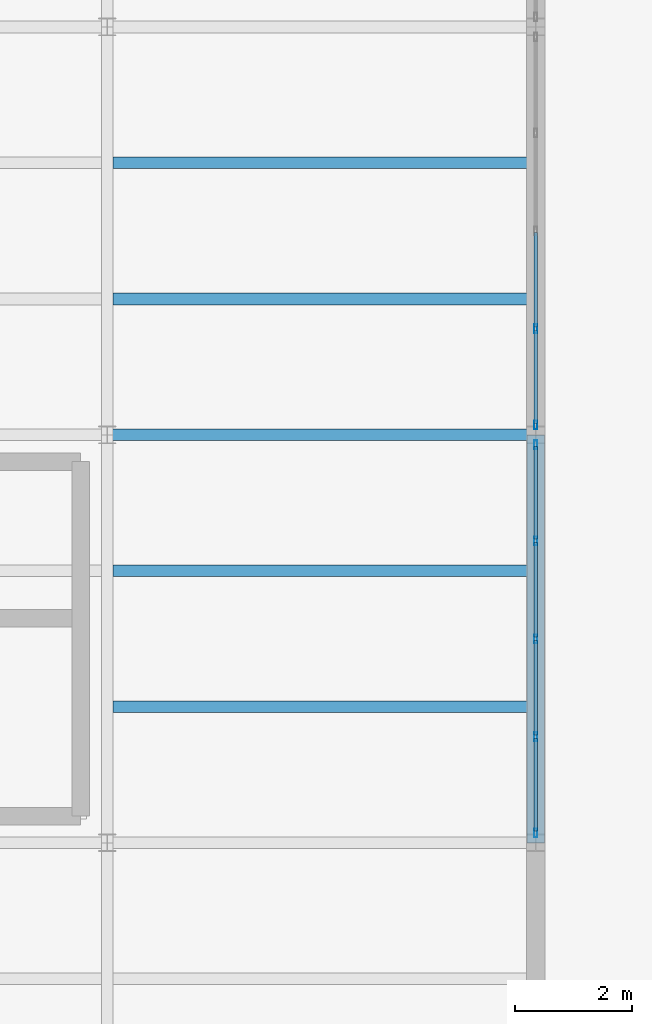
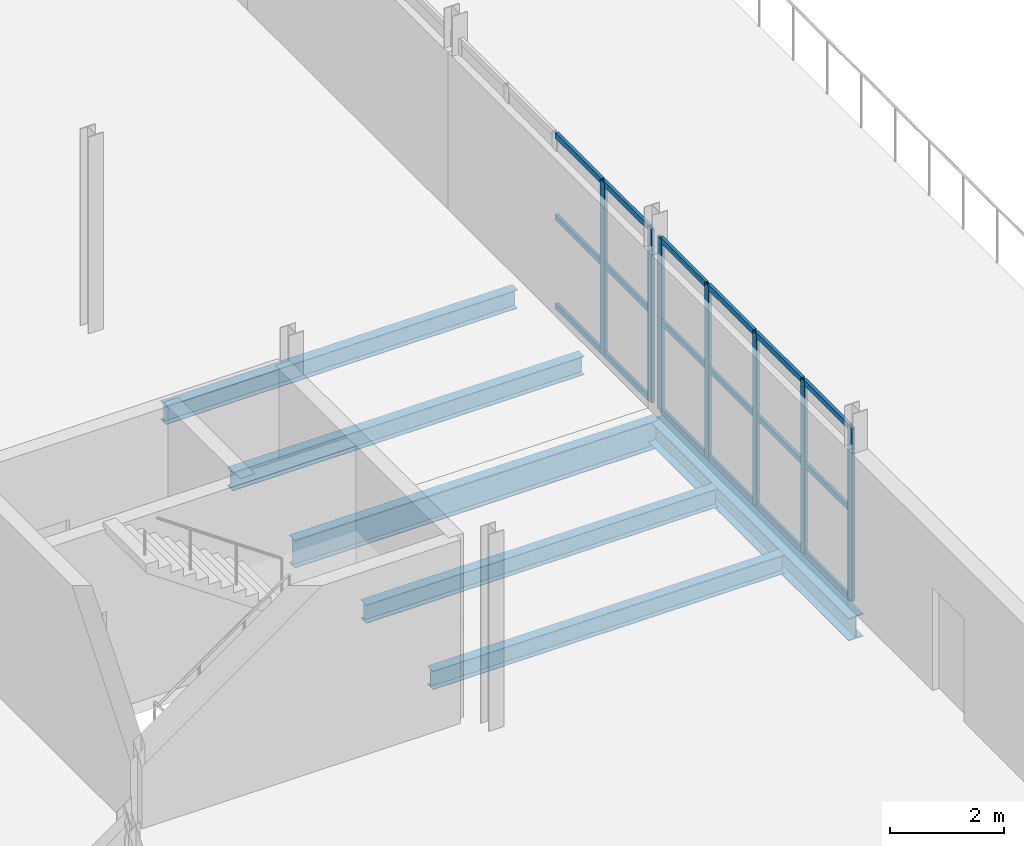
# One storey, part 20 of 39: 25 members, 6 beams, 2 elements without a shape of their own.
"""IFC4 building model written with IfcOpenShell, lengths in metres."""

from ifc_helpers import new_model, si_unit, direction, frame, origin, origin_2d, place, context, subcontext, project, spatial, hollow_rectangle, i_section, extrude, material, material_profile, profile_set, type_object, element, aggregate, save


model = new_model("IFC4")

# Units and contexts
model_context = context("Model", 3, precision=1e-05, world=origin(), true_north=direction((0.0, 1.0)))
body_context = subcontext(model_context, "Body", "Model", "MODEL_VIEW")
ifc_project = project(units=[si_unit("LENGTHUNIT", "METRE"), si_unit("AREAUNIT", "SQUARE_METRE"), si_unit("VOLUMEUNIT", "CUBIC_METRE"), si_unit("PLANEANGLEUNIT", "RADIAN"), si_unit("MASSUNIT", "GRAM", prefix="KILO")], contexts=[model_context])

# Site, building, storey
site_placement = place(None, origin())
site = spatial("IfcSite", under=ifc_project, at=site_placement, CompositionType="ELEMENT")
building_placement = place(site_placement, origin())
building = spatial("IfcBuilding", under=site, at=building_placement, Name="Kazenagashi Tramway Depot", CompositionType="ELEMENT")
storey_placement = place(building_placement, frame((0.0, 0.0, 11.1)))
storey = spatial("IfcBuildingStorey", under=building, at=storey_placement, Name="L03", CompositionType="ELEMENT", Elevation=11.1)

# Beams
ifc_material_1 = material(Name="Steel SN490B", Category="steel")
ifc_material_profile_1 = material_profile(ifc_material_1, i_section(OverallWidth=0.199, OverallDepth=0.596, WebThickness=0.01, FlangeThickness=0.015, at=origin_2d()), Name="H-596x199x10x15")
ifc_profile_set_1 = profile_set([ifc_material_profile_1], Name="Steel SN490B")
beam_type_1 = type_object("IfcBeamType", Name="G-09", PredefinedType="BEAM", material=ifc_profile_set_1)
beam_1_placement = place(storey_placement, frame((29.4, 42.0, -0.548), z_axis=(1.0, 0.0, 0.0), x_axis=(0.0, 1.0, 0.0)))
element("IfcBeam", 1, at=beam_1_placement, inside=storey, type_object=beam_type_1, Name="Beam G-09 BM-0252", PredefinedType="BEAM", context=body_context, shape_type="SweptSolid", body=[
    extrude(i_section(OverallWidth=0.199, OverallDepth=0.596, WebThickness=0.01, FlangeThickness=0.015, at=origin_2d()), origin(), (0.0, 0.0, 1.0), 7.35),
])
ifc_material_profile_2 = material_profile(ifc_material_1, i_section(OverallWidth=0.199, OverallDepth=0.396, WebThickness=0.007, FlangeThickness=0.011, at=origin_2d()), Name="H-396x199x7x11")
ifc_profile_set_2 = profile_set([ifc_material_profile_2], Name="Steel SN490B")
beam_type_2 = type_object("IfcBeamType", Name="J-05", PredefinedType="JOIST", material=ifc_profile_set_2)
for number, where, z_axis, x_axis, name in (
    (2, (29.499, 37.333, -0.448), (1.0, 0.0, 0.0), (0.0, 1.0, 0.0), "Beam J-05 BM-0388"),
    (3, (29.499, 39.667, -0.448), (1.0, 0.0, 0.0), (0.0, 1.0, 0.0), "Beam J-05 BM-0389"),
    (4, (29.499, 44.333, -0.448), (1.0, 0.0, 0.0), (0.0, 1.0, 0.0), "Beam J-05 BM-0391"),
    (5, (29.499, 46.667, -0.448), (1.0, 0.0, 0.0), (0.0, 1.0, 0.0), "Beam J-05 BM-0392"),
):
    element("IfcBeam", number, at=place(storey_placement, frame(where, z_axis=z_axis, x_axis=x_axis)), inside=storey, type_object=beam_type_2, Name=name, PredefinedType="JOIST", context=body_context, shape_type="SweptSolid", body=[
        extrude(i_section(OverallWidth=0.199, OverallDepth=0.396, WebThickness=0.007, FlangeThickness=0.011, at=origin_2d()), origin(), (0.0, 0.0, 1.0), 7.101),
    ])

# Curtain wall, members
ifc_material_2 = material(Name="Anodised Aluminium and Low-E Glazing", Category="aluminium")
curtain_wall_type = type_object("IfcCurtainWallType", Name="CW-26", PredefinedType="USERDEFINED", material=ifc_material_2)
curtain_wall_1_placement = place(storey_placement, origin())
curtain_wall_1 = element("IfcCurtainWall", 6, at=curtain_wall_1_placement, inside=storey, type_object=curtain_wall_type, Name="Industrial Glazed Screen CW-26 CW-0147", ObjectType="GLAZED SCREEN", PredefinedType="USERDEFINED")
ifc_material_3 = material(Name="Anodised Aluminium", Category="aluminium")
ifc_material_profile_3 = material_profile(ifc_material_3, hollow_rectangle(XDim=0.06, YDim=0.15, WallThickness=0.004, at=origin_2d()), Name="RHS-150x60x4")
ifc_profile_set_3 = profile_set([ifc_material_profile_3], Name="Anodised Aluminium")
member_type_1 = type_object("IfcMemberType", Name="ML-01", PredefinedType="MULLION", material=ifc_profile_set_3)
member_1_placement = place(storey_placement, frame((36.75, 35.17, 0.0), z_axis=(0.0, 0.0, 1.0), x_axis=(-1.0, 0.0, 0.0)))
member_1 = element("IfcMember", 7, at=member_1_placement, type_object=member_type_1, Name="CW-26 mullion 1", PredefinedType="MULLION", context=body_context, shape_type="SweptSolid", body=[
    extrude(hollow_rectangle(XDim=0.06, YDim=0.15, WallThickness=0.004, at=origin_2d()), origin(), (0.0, 0.0, 1.0), 3.7),
])
member_2_placement = place(storey_placement, frame((36.75, 36.82, 0.0), z_axis=(0.0, 0.0, 1.0), x_axis=(-1.0, 0.0, 0.0)))
member_2 = element("IfcMember", 8, at=member_2_placement, type_object=member_type_1, Name="CW-26 mullion 2", PredefinedType="MULLION", context=body_context, shape_type="SweptSolid", body=[
    extrude(hollow_rectangle(XDim=0.06, YDim=0.15, WallThickness=0.004, at=origin_2d()), origin(), (0.0, 0.0, 1.0), 3.7),
])
member_3_placement = place(storey_placement, frame((36.75, 38.5, 0.0), z_axis=(0.0, 0.0, 1.0), x_axis=(-1.0, 0.0, 0.0)))
member_3 = element("IfcMember", 9, at=member_3_placement, type_object=member_type_1, Name="CW-26 mullion 3", PredefinedType="MULLION", context=body_context, shape_type="SweptSolid", body=[
    extrude(hollow_rectangle(XDim=0.06, YDim=0.15, WallThickness=0.004, at=origin_2d()), origin(), (0.0, 0.0, 1.0), 3.7),
])
member_4_placement = place(storey_placement, frame((36.75, 40.18, 0.0), z_axis=(0.0, 0.0, 1.0), x_axis=(-1.0, 0.0, 0.0)))
member_4 = element("IfcMember", 10, at=member_4_placement, type_object=member_type_1, Name="CW-26 mullion 4", PredefinedType="MULLION", context=body_context, shape_type="SweptSolid", body=[
    extrude(hollow_rectangle(XDim=0.06, YDim=0.15, WallThickness=0.004, at=origin_2d()), origin(), (0.0, 0.0, 1.0), 3.7),
])
member_5_placement = place(storey_placement, frame((36.75, 41.83, 0.0), z_axis=(0.0, 0.0, 1.0), x_axis=(-1.0, 0.0, 0.0)))
member_5 = element("IfcMember", 11, at=member_5_placement, type_object=member_type_1, Name="CW-26 mullion 5", PredefinedType="MULLION", context=body_context, shape_type="SweptSolid", body=[
    extrude(hollow_rectangle(XDim=0.06, YDim=0.15, WallThickness=0.004, at=origin_2d()), origin(), (0.0, 0.0, 1.0), 3.7),
])

curtain_wall_2_placement = place(storey_placement, origin())
curtain_wall_2 = element("IfcCurtainWall", 12, at=curtain_wall_2_placement, inside=storey, type_object=curtain_wall_type, Name="Industrial Glazed Screen CW-26 CW-0148", ObjectType="GLAZED SCREEN", PredefinedType="USERDEFINED")
member_6_placement = place(storey_placement, frame((36.75, 42.17, 0.0), z_axis=(0.0, 0.0, 1.0), x_axis=(-1.0, 0.0, 0.0)))
member_6 = element("IfcMember", 13, at=member_6_placement, type_object=member_type_1, Name="CW-26 mullion 1", PredefinedType="MULLION", context=body_context, shape_type="SweptSolid", body=[
    extrude(hollow_rectangle(XDim=0.06, YDim=0.15, WallThickness=0.004, at=origin_2d()), origin(), (0.0, 0.0, 1.0), 3.7),
])
member_7_placement = place(storey_placement, frame((36.75, 43.82, 0.0), z_axis=(0.0, 0.0, 1.0), x_axis=(-1.0, 0.0, 0.0)))
member_7 = element("IfcMember", 14, at=member_7_placement, type_object=member_type_1, Name="CW-26 mullion 2", PredefinedType="MULLION", context=body_context, shape_type="SweptSolid", body=[
    extrude(hollow_rectangle(XDim=0.06, YDim=0.15, WallThickness=0.004, at=origin_2d()), origin(), (0.0, 0.0, 1.0), 3.7),
])

# Beam
ifc_material_profile_4 = material_profile(ifc_material_1, i_section(OverallWidth=0.3, OverallDepth=0.488, WebThickness=0.011, FlangeThickness=0.018, at=origin_2d()), Name="H-488x300x11x18")
ifc_profile_set_4 = profile_set([ifc_material_profile_4], Name="Steel SN490B")
beam_type_3 = type_object("IfcBeamType", Name="SP-02", PredefinedType="SPANDREL", material=ifc_profile_set_4)
beam_2_placement = place(storey_placement, frame((36.75, 35.0, -0.494), z_axis=(0.0, 1.0, 0.0), x_axis=(-1.0, 0.0, 0.0)))
element("IfcBeam", 15, at=beam_2_placement, inside=storey, type_object=beam_type_3, Name="Beam SP-02 BM-0404", PredefinedType="SPANDREL", context=body_context, shape_type="SweptSolid", body=[
    extrude(i_section(OverallWidth=0.3, OverallDepth=0.488, WebThickness=0.011, FlangeThickness=0.018, at=origin_2d()), origin(), (0.0, 0.0, 1.0), 7.0),
])

# Member
ifc_material_profile_5 = material_profile(ifc_material_3, hollow_rectangle(XDim=0.06, YDim=0.12, WallThickness=0.004, at=origin_2d()), Name="RHS-120x60x4")
ifc_profile_set_5 = profile_set([ifc_material_profile_5], Name="Anodised Aluminium")
member_type_2 = type_object("IfcMemberType", Name="TR-01", PredefinedType="USERDEFINED", material=ifc_profile_set_5)
member_8_placement = place(storey_placement, frame((36.75, 35.2, 0.03), z_axis=(0.0, 1.0, 0.0), x_axis=(-1.0, 0.0, 0.0)))
member_8 = element("IfcMember", 16, at=member_8_placement, type_object=member_type_2, Name="CW-26 transom 1.1", ObjectType="TRANSOM", PredefinedType="USERDEFINED", context=body_context, shape_type="SweptSolid", body=[
    extrude(hollow_rectangle(XDim=0.06, YDim=0.12, WallThickness=0.004, at=origin_2d()), origin(), (0.0, 0.0, 1.0), 1.59),
])

member_9_placement = place(storey_placement, frame((36.75, 35.2, 1.924), z_axis=(0.0, 1.0, 0.0), x_axis=(-1.0, 0.0, 0.0)))
member_9 = element("IfcMember", 17, at=member_9_placement, type_object=member_type_2, Name="CW-26 transom 1.2", ObjectType="TRANSOM", PredefinedType="USERDEFINED", context=body_context, shape_type="SweptSolid", body=[
    extrude(hollow_rectangle(XDim=0.06, YDim=0.12, WallThickness=0.004, at=origin_2d()), origin(), (0.0, 0.0, 1.0), 1.59),
])

member_10_placement = place(storey_placement, frame((36.75, 35.2, 3.67), z_axis=(0.0, 1.0, 0.0), x_axis=(-1.0, 0.0, 0.0)))
member_10 = element("IfcMember", 18, at=member_10_placement, type_object=member_type_2, Name="CW-26 transom 1.3", ObjectType="TRANSOM", PredefinedType="USERDEFINED", context=body_context, shape_type="SweptSolid", body=[
    extrude(hollow_rectangle(XDim=0.06, YDim=0.12, WallThickness=0.004, at=origin_2d()), origin(), (0.0, 0.0, 1.0), 1.59),
])

member_11_placement = place(storey_placement, frame((36.75, 36.85, 0.03), z_axis=(0.0, 1.0, 0.0), x_axis=(-1.0, 0.0, 0.0)))
member_11 = element("IfcMember", 19, at=member_11_placement, type_object=member_type_2, Name="CW-26 transom 2.1", ObjectType="TRANSOM", PredefinedType="USERDEFINED", context=body_context, shape_type="SweptSolid", body=[
    extrude(hollow_rectangle(XDim=0.06, YDim=0.12, WallThickness=0.004, at=origin_2d()), origin(), (0.0, 0.0, 1.0), 1.62),
])

member_12_placement = place(storey_placement, frame((36.75, 36.85, 1.924), z_axis=(0.0, 1.0, 0.0), x_axis=(-1.0, 0.0, 0.0)))
member_12 = element("IfcMember", 20, at=member_12_placement, type_object=member_type_2, Name="CW-26 transom 2.2", ObjectType="TRANSOM", PredefinedType="USERDEFINED", context=body_context, shape_type="SweptSolid", body=[
    extrude(hollow_rectangle(XDim=0.06, YDim=0.12, WallThickness=0.004, at=origin_2d()), origin(), (0.0, 0.0, 1.0), 1.62),
])

member_13_placement = place(storey_placement, frame((36.75, 36.85, 3.67), z_axis=(0.0, 1.0, 0.0), x_axis=(-1.0, 0.0, 0.0)))
member_13 = element("IfcMember", 21, at=member_13_placement, type_object=member_type_2, Name="CW-26 transom 2.3", ObjectType="TRANSOM", PredefinedType="USERDEFINED", context=body_context, shape_type="SweptSolid", body=[
    extrude(hollow_rectangle(XDim=0.06, YDim=0.12, WallThickness=0.004, at=origin_2d()), origin(), (0.0, 0.0, 1.0), 1.62),
])

member_14_placement = place(storey_placement, frame((36.75, 38.53, 0.03), z_axis=(0.0, 1.0, 0.0), x_axis=(-1.0, 0.0, 0.0)))
member_14 = element("IfcMember", 22, at=member_14_placement, type_object=member_type_2, Name="CW-26 transom 3.1", ObjectType="TRANSOM", PredefinedType="USERDEFINED", context=body_context, shape_type="SweptSolid", body=[
    extrude(hollow_rectangle(XDim=0.06, YDim=0.12, WallThickness=0.004, at=origin_2d()), origin(), (0.0, 0.0, 1.0), 1.62),
])

member_15_placement = place(storey_placement, frame((36.75, 38.53, 1.924), z_axis=(0.0, 1.0, 0.0), x_axis=(-1.0, 0.0, 0.0)))
member_15 = element("IfcMember", 23, at=member_15_placement, type_object=member_type_2, Name="CW-26 transom 3.2", ObjectType="TRANSOM", PredefinedType="USERDEFINED", context=body_context, shape_type="SweptSolid", body=[
    extrude(hollow_rectangle(XDim=0.06, YDim=0.12, WallThickness=0.004, at=origin_2d()), origin(), (0.0, 0.0, 1.0), 1.62),
])

member_16_placement = place(storey_placement, frame((36.75, 38.53, 3.67), z_axis=(0.0, 1.0, 0.0), x_axis=(-1.0, 0.0, 0.0)))
member_16 = element("IfcMember", 24, at=member_16_placement, type_object=member_type_2, Name="CW-26 transom 3.3", ObjectType="TRANSOM", PredefinedType="USERDEFINED", context=body_context, shape_type="SweptSolid", body=[
    extrude(hollow_rectangle(XDim=0.06, YDim=0.12, WallThickness=0.004, at=origin_2d()), origin(), (0.0, 0.0, 1.0), 1.62),
])

member_17_placement = place(storey_placement, frame((36.75, 40.21, 0.03), z_axis=(0.0, 1.0, 0.0), x_axis=(-1.0, 0.0, 0.0)))
member_17 = element("IfcMember", 25, at=member_17_placement, type_object=member_type_2, Name="CW-26 transom 4.1", ObjectType="TRANSOM", PredefinedType="USERDEFINED", context=body_context, shape_type="SweptSolid", body=[
    extrude(hollow_rectangle(XDim=0.06, YDim=0.12, WallThickness=0.004, at=origin_2d()), origin(), (0.0, 0.0, 1.0), 1.59),
])

member_18_placement = place(storey_placement, frame((36.75, 40.21, 1.924), z_axis=(0.0, 1.0, 0.0), x_axis=(-1.0, 0.0, 0.0)))
member_18 = element("IfcMember", 26, at=member_18_placement, type_object=member_type_2, Name="CW-26 transom 4.2", ObjectType="TRANSOM", PredefinedType="USERDEFINED", context=body_context, shape_type="SweptSolid", body=[
    extrude(hollow_rectangle(XDim=0.06, YDim=0.12, WallThickness=0.004, at=origin_2d()), origin(), (0.0, 0.0, 1.0), 1.59),
])

member_19_placement = place(storey_placement, frame((36.75, 40.21, 3.67), z_axis=(0.0, 1.0, 0.0), x_axis=(-1.0, 0.0, 0.0)))
member_19 = element("IfcMember", 27, at=member_19_placement, type_object=member_type_2, Name="CW-26 transom 4.3", ObjectType="TRANSOM", PredefinedType="USERDEFINED", context=body_context, shape_type="SweptSolid", body=[
    extrude(hollow_rectangle(XDim=0.06, YDim=0.12, WallThickness=0.004, at=origin_2d()), origin(), (0.0, 0.0, 1.0), 1.59),
])

aggregate(curtain_wall_1, [member_1, member_2, member_3, member_4, member_5, member_8, member_9, member_10, member_11, member_12, member_13, member_14, member_15, member_16, member_17, member_18, member_19])

member_20_placement = place(storey_placement, frame((36.75, 42.2, 0.03), z_axis=(0.0, 1.0, 0.0), x_axis=(-1.0, 0.0, 0.0)))
member_20 = element("IfcMember", 28, at=member_20_placement, type_object=member_type_2, Name="CW-26 transom 1.1", ObjectType="TRANSOM", PredefinedType="USERDEFINED", context=body_context, shape_type="SweptSolid", body=[
    extrude(hollow_rectangle(XDim=0.06, YDim=0.12, WallThickness=0.004, at=origin_2d()), origin(), (0.0, 0.0, 1.0), 1.59),
])

member_21_placement = place(storey_placement, frame((36.75, 42.2, 1.924), z_axis=(0.0, 1.0, 0.0), x_axis=(-1.0, 0.0, 0.0)))
member_21 = element("IfcMember", 29, at=member_21_placement, type_object=member_type_2, Name="CW-26 transom 1.2", ObjectType="TRANSOM", PredefinedType="USERDEFINED", context=body_context, shape_type="SweptSolid", body=[
    extrude(hollow_rectangle(XDim=0.06, YDim=0.12, WallThickness=0.004, at=origin_2d()), origin(), (0.0, 0.0, 1.0), 1.59),
])

member_22_placement = place(storey_placement, frame((36.75, 42.2, 3.67), z_axis=(0.0, 1.0, 0.0), x_axis=(-1.0, 0.0, 0.0)))
member_22 = element("IfcMember", 30, at=member_22_placement, type_object=member_type_2, Name="CW-26 transom 1.3", ObjectType="TRANSOM", PredefinedType="USERDEFINED", context=body_context, shape_type="SweptSolid", body=[
    extrude(hollow_rectangle(XDim=0.06, YDim=0.12, WallThickness=0.004, at=origin_2d()), origin(), (0.0, 0.0, 1.0), 1.59),
])

member_23_placement = place(storey_placement, frame((36.75, 43.85, 0.03), z_axis=(0.0, 1.0, 0.0), x_axis=(-1.0, 0.0, 0.0)))
member_23 = element("IfcMember", 31, at=member_23_placement, type_object=member_type_2, Name="CW-26 transom 2.1", ObjectType="TRANSOM", PredefinedType="USERDEFINED", context=body_context, shape_type="SweptSolid", body=[
    extrude(hollow_rectangle(XDim=0.06, YDim=0.12, WallThickness=0.004, at=origin_2d()), origin(), (0.0, 0.0, 1.0), 1.62),
])

member_24_placement = place(storey_placement, frame((36.75, 43.85, 1.924), z_axis=(0.0, 1.0, 0.0), x_axis=(-1.0, 0.0, 0.0)))
member_24 = element("IfcMember", 32, at=member_24_placement, type_object=member_type_2, Name="CW-26 transom 2.2", ObjectType="TRANSOM", PredefinedType="USERDEFINED", context=body_context, shape_type="SweptSolid", body=[
    extrude(hollow_rectangle(XDim=0.06, YDim=0.12, WallThickness=0.004, at=origin_2d()), origin(), (0.0, 0.0, 1.0), 1.62),
])

member_25_placement = place(storey_placement, frame((36.75, 43.85, 3.67), z_axis=(0.0, 1.0, 0.0), x_axis=(-1.0, 0.0, 0.0)))
member_25 = element("IfcMember", 33, at=member_25_placement, type_object=member_type_2, Name="CW-26 transom 2.3", ObjectType="TRANSOM", PredefinedType="USERDEFINED", context=body_context, shape_type="SweptSolid", body=[
    extrude(hollow_rectangle(XDim=0.06, YDim=0.12, WallThickness=0.004, at=origin_2d()), origin(), (0.0, 0.0, 1.0), 1.62),
])

aggregate(curtain_wall_2, [member_6, member_7, member_20, member_21, member_22, member_23, member_24, member_25])

save(model, "model.ifc")
